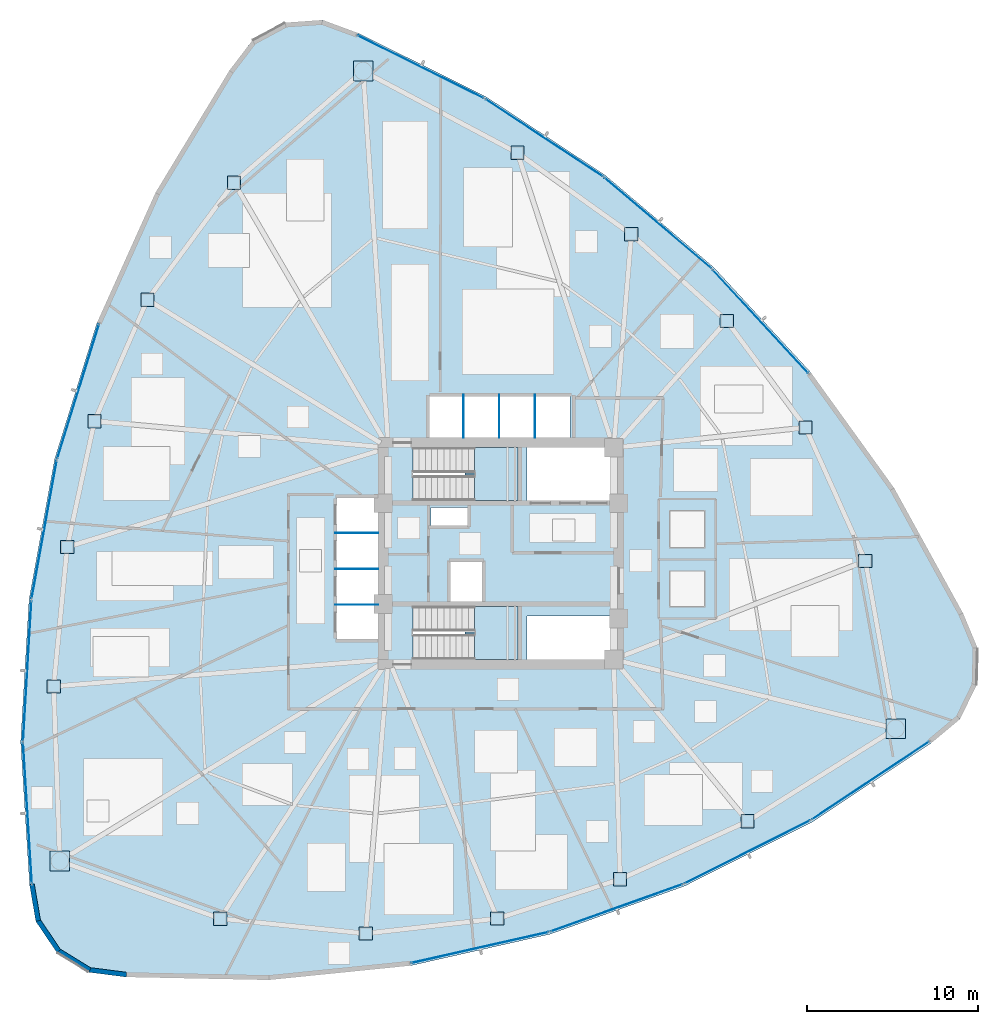
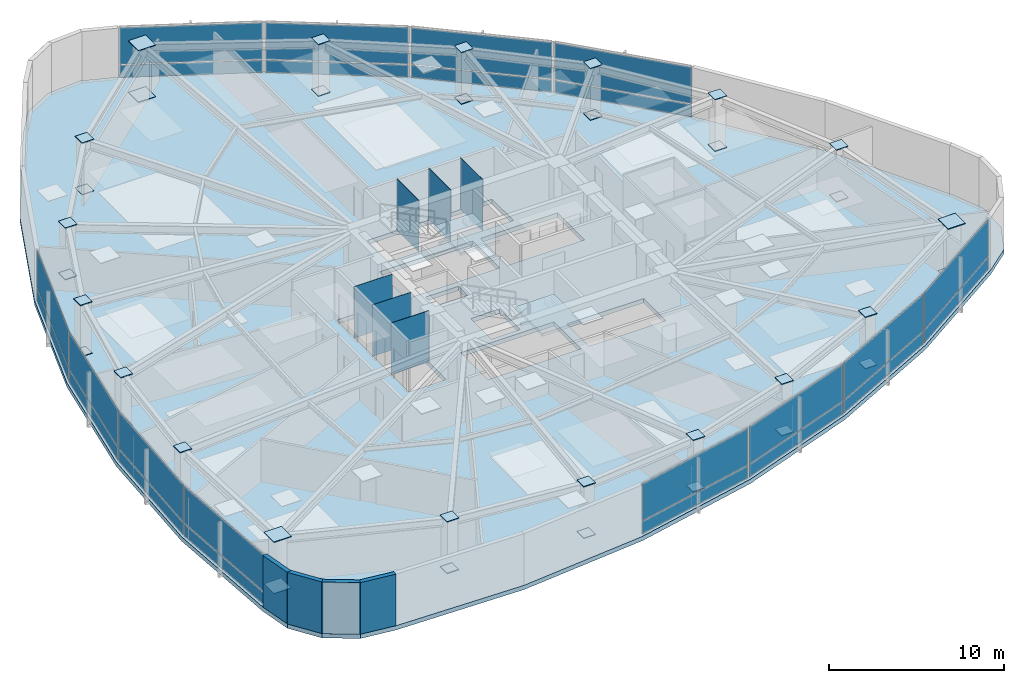
# One storey, part 10 of 17: 66 plates, 4 walls, 3 slabs, 14 elements without a shape of their own.
"""IFC4 building model written with IfcOpenShell, lengths in metres."""

from ifc_helpers import new_model, si_unit, direction, frame, frame_2d, origin, origin_2d, place, context, subcontext, project, spatial, polyline, rectangle, outline, extrude, source, transform, mapped, material, layer, layer_set, type_object, type_shapes, element, aggregate, save


model = new_model("IFC4")

# Units and contexts
model_context = context("Model", 3, precision=1e-05, world=origin(), true_north=direction((0.0, 1.0)))
body_context = subcontext(model_context, "Body", "Model", "MODEL_VIEW")
ifc_project = project(units=[si_unit("LENGTHUNIT", "METRE"), si_unit("AREAUNIT", "SQUARE_METRE"), si_unit("VOLUMEUNIT", "CUBIC_METRE"), si_unit("PLANEANGLEUNIT", "RADIAN"), si_unit("MASSUNIT", "GRAM", prefix="KILO")], contexts=[model_context])

# Site, building, storey
site_placement = place(None, origin())
site = spatial("IfcSite", under=ifc_project, at=site_placement, CompositionType="ELEMENT")
building_placement = place(site_placement, origin())
building = spatial("IfcBuilding", under=site, at=building_placement, Name="Tavelor Broadcast Tower", CompositionType="ELEMENT")
storey_placement = place(building_placement, frame((0.0, 0.0, 93.89990234375)))
storey = spatial("IfcBuildingStorey", under=building, at=storey_placement, Name="L22", CompositionType="ELEMENT", Elevation=93.89990234375)

# Stair, slab
ifc_material_1 = material(Name="Concrete C40/50", Category="concrete")
stair_type = type_object("IfcStairType", Name="Reinforced Concrete Protected Dogleg Stair 1450 mm", PredefinedType="HALF_TURN_STAIR", material=ifc_material_1)
stair_1_placement = place(storey_placement, origin())
stair_1 = element("IfcStair", 1, at=stair_1_placement, inside=storey, type_object=stair_type, Name="L22 Protected Core Exit Stair ST1", PredefinedType="HALF_TURN_STAIR")
ifc_layer_1 = layer(ifc_material_1, 0.199951171875)
ifc_layer_set_1 = layer_set([ifc_layer_1], Name="Concrete C40/50")
slab_type_1 = type_object("IfcSlabType", Name="Reinforced Concrete Stair Half-Landing Slab 200 mm", PredefinedType="LANDING", material=ifc_layer_set_1)
slab_1_placement = place(storey_placement, frame((0.0, 0.0, 1.75)))
slab_1 = element("IfcSlab", 2, at=slab_1_placement, type_object=slab_type_1, Name="ST1 landing 1", PredefinedType="LANDING", context=body_context, shape_type="SweptSolid", body=[
    extrude(outline(polyline([(48.445068359375, 49.590087890625), (48.445068359375, 48.094970703125), (51.0048828125, 48.094970703125), (51.0048828125, 51.205078125), (48.445068359375, 51.205078125), (48.445068359375, 49.7099609375), (47.905029296875, 49.7099609375), (47.905029296875, 49.590087890625), (48.445068359375, 49.590087890625)])), origin(), (0.0, 0.0, 1.0), 0.2001953125),
])
aggregate(stair_1, [slab_1])

stair_2_placement = place(storey_placement, origin())
stair_2 = element("IfcStair", 3, at=stair_2_placement, inside=storey, type_object=stair_type, Name="L22 Protected Core Exit Stair ST2", PredefinedType="HALF_TURN_STAIR")
slab_2_placement = place(storey_placement, frame((0.0, 0.0, 1.75)))
slab_2 = element("IfcSlab", 4, at=slab_2_placement, type_object=slab_type_1, Name="ST2 landing 1", PredefinedType="LANDING", context=body_context, shape_type="SweptSolid", body=[
    extrude(outline(polyline([(48.445068359375, 40.2900390625), (48.445068359375, 38.794921875), (51.0048828125, 38.794921875), (51.0048828125, 41.905029296875), (48.445068359375, 41.905029296875), (48.445068359375, 40.409912109375), (47.905029296875, 40.409912109375), (47.905029296875, 40.2900390625), (48.445068359375, 40.2900390625)])), origin(), (0.0, 0.0, 1.0), 0.2001953125),
])
aggregate(stair_2, [slab_2])

# Slab
ifc_layer_2 = layer(ifc_material_1, 0.300048828125)
ifc_layer_set_2 = layer_set([ifc_layer_2], Name="Concrete C40/50")
slab_type_2 = type_object("IfcSlabType", Name="Tower Composite Floor Slab 300 mm", PredefinedType="FLOOR", material=ifc_layer_set_2)
slab_3_placement = place(storey_placement, frame((0.0, 0.0, -0.2998046875)))
element("IfcSlab", 5, at=slab_3_placement, inside=storey, type_object=slab_type_2, Name="L22 Structural Floor Slab", PredefinedType="FLOOR", context=body_context, shape_type="SweptSolid", body=[
    extrude(outline(polyline([(41.61865234375, 75.4931640625), (39.556884765625, 76.253662109375), (37.364990234375, 76.098388671875), (35.43115234375, 75.05517578125), (34.09814453125, 73.308349609375), (29.768310546875, 66.152099609375), (26.336181640625, 58.52490234375), (23.8525390625, 50.5380859375), (22.353515625, 42.309814453125), (21.861083984375, 33.960205078125), (22.3828125, 25.612548828125), (22.7548828125, 23.447021484375), (23.9853515625, 21.626220703125), (25.85595703125, 20.47314453125), (28.035400390625, 20.192138671875), (36.3974609375, 20.0205078125), (44.718994140625, 20.86181640625), (52.87744140625, 22.7041015625), (60.753173828125, 25.520263671875), (68.230224609375, 29.2685546875), (75.198486328125, 33.894287109375), (76.887939453125, 35.29931640625), (77.849609375, 37.275146484375), (77.912841796875, 39.4716796875), (77.066650390625, 41.499755859375), (73.0341796875, 48.827392578125), (68.144775390625, 55.61328125), (62.469970703125, 61.757568359375), (56.093505859375, 67.170166015625), (49.108642578125, 71.771240234375), (41.61865234375, 75.4931640625)]), holes=[polyline([(56.60009765625, 38.800048828125), (51.52001953125, 38.800048828125), (51.52001953125, 41.35009765625), (56.60009765625, 41.35009765625), (56.60009765625, 38.800048828125)]), polyline([(50.99609375, 38.803955078125), (44.85400390625, 38.803955078125), (44.85400390625, 41.89599609375), (50.99609375, 41.89599609375), (50.99609375, 38.803955078125)]), polyline([(47.050048828125, 42.199951171875), (47.050048828125, 44.550048828125), (48.949951171875, 44.550048828125), (48.949951171875, 42.199951171875), (47.050048828125, 42.199951171875)]), polyline([(40.35009765625, 40.0), (40.35009765625, 48.25), (42.800048828125, 48.25), (42.800048828125, 40.0), (40.35009765625, 40.0)]), polyline([(48.050048828125, 46.64990234375), (45.89990234375, 46.64990234375), (45.89990234375, 47.699951171875), (48.050048828125, 47.699951171875), (48.050048828125, 46.64990234375)]), polyline([(50.99609375, 48.10400390625), (44.85400390625, 48.10400390625), (44.85400390625, 51.196044921875), (50.99609375, 51.196044921875), (50.99609375, 48.10400390625)]), polyline([(56.60009765625, 48.10009765625), (51.52001953125, 48.10009765625), (51.52001953125, 51.199951171875), (56.60009765625, 51.199951171875), (56.60009765625, 48.10009765625)]), polyline([(54.050048828125, 51.800048828125), (45.800048828125, 51.800048828125), (45.800048828125, 54.25), (54.050048828125, 54.25), (54.050048828125, 51.800048828125)])]), origin(), (0.0, 0.0, 1.0), 0.2998046875),
])

# Plates
ifc_material_2 = material(Name="Steel S460", Category="steel")
ifc_layer_3 = layer(ifc_material_2, 0.050048828125)
ifc_layer_set_3 = layer_set([ifc_layer_3], Name="Steel S460")
plate_type_1 = type_object("IfcPlateType", Name="Tube Hollow-End Cap Plate KN05 700x700x50", PredefinedType="USERDEFINED", material=ifc_layer_set_3)
shared_shape_1 = source(origin(), body_context, "Body", "SweptSolid", [
    extrude(rectangle(XDim=1.14697265625, YDim=1.14697265625, at=origin_2d()), origin(), (0.0, 0.0, 1.0), 0.054931640625),
])
for number, where, z_axis, x_axis, name in (
    (6, (41.923095703125, 73.266357421875, -0.02734375), (0.0, 0.0, 1.0), (1.0, 0.0, 0.0), "L22 Hollow End Cap Plate KN05 #616"),
    (7, (41.923095703125, 73.266357421875, 3.57275390625), (0.0, 0.0, 1.0), (1.0, 0.0, 0.0), "L22 Hollow End Cap Plate KN05 #617"),
    (8, (24.1591796875, 26.98974609375, -0.02734375), (0.0, 0.0, 1.0), (1.0, 0.0, 0.0), "L22 Hollow End Cap Plate KN05 #628"),
    (9, (24.1591796875, 26.98974609375, 3.57275390625), (0.0, 0.0, 1.0), (1.0, 0.0, 0.0), "L22 Hollow End Cap Plate KN05 #629"),
    (10, (73.117919921875, 34.743896484375, -0.02734375), (0.0, 0.0, 1.0), (1.0, 0.0, 0.0), "L22 Hollow End Cap Plate KN05 #640"),
    (11, (73.117919921875, 34.743896484375, 3.57275390625), (0.0, 0.0, 1.0), (1.0, 0.0, 0.0), "L22 Hollow End Cap Plate KN05 #641"),
):
    element("IfcPlate", number, at=place(storey_placement, frame(where, z_axis=z_axis, x_axis=x_axis)), inside=storey, type_object=plate_type_1, Name=name, ObjectType="CAP PLATE", PredefinedType="USERDEFINED", context=body_context, shape_type="MappedRepresentation", body=[
        mapped(shared_shape_1, transform((0.0, 0.0, 0.0), scale=1.0)),
    ])
shared_shape_2 = source(origin(), body_context, "Body", "SweptSolid", [
    extrude(rectangle(XDim=0.780029296875, YDim=0.780029296875, at=origin_2d()), origin(), (0.0, 0.0, 1.0), 0.054931640625),
])
type_shapes(plate_type_1, [shared_shape_1, shared_shape_2])
for number, where, z_axis, x_axis, name in (
    (12, (34.356201171875, 66.727783203125, -0.02734375), (0.0, 0.0, 1.0), (1.0, 0.0, 0.0), "L22 Hollow End Cap Plate KN05 #618"),
    (13, (34.356201171875, 66.727783203125, 3.57275390625), (0.0, 0.0, 1.0), (1.0, 0.0, 0.0), "L22 Hollow End Cap Plate KN05 #619"),
    (14, (29.292236328125, 59.87158203125, -0.02734375), (0.0, 0.0, 1.0), (1.0, 0.0, 0.0), "L22 Hollow End Cap Plate KN05 #620"),
    (15, (29.292236328125, 59.87158203125, 3.57275390625), (0.0, 0.0, 1.0), (1.0, 0.0, 0.0), "L22 Hollow End Cap Plate KN05 #621"),
    (16, (26.189208984375, 52.75830078125, -0.02734375), (0.0, 0.0, 1.0), (1.0, 0.0, 0.0), "L22 Hollow End Cap Plate KN05 #622"),
    (17, (26.189208984375, 52.75830078125, 3.57275390625), (0.0, 0.0, 1.0), (1.0, 0.0, 0.0), "L22 Hollow End Cap Plate KN05 #623"),
    (18, (24.58984375, 45.380615234375, -0.02734375), (0.0, 0.0, 1.0), (1.0, 0.0, 0.0), "L22 Hollow End Cap Plate KN05 #624"),
    (19, (24.58984375, 45.380615234375, 3.57275390625), (0.0, 0.0, 1.0), (1.0, 0.0, 0.0), "L22 Hollow End Cap Plate KN05 #625"),
    (20, (23.794677734375, 37.21630859375, -0.02734375), (0.0, 0.0, 1.0), (1.0, 0.0, 0.0), "L22 Hollow End Cap Plate KN05 #626"),
    (21, (23.794677734375, 37.21630859375, 3.57275390625), (0.0, 0.0, 1.0), (1.0, 0.0, 0.0), "L22 Hollow End Cap Plate KN05 #627"),
    (22, (33.55078125, 23.615478515625, -0.02734375), (0.0, 0.0, 1.0), (1.0, 0.0, 0.0), "L22 Hollow End Cap Plate KN05 #630"),
    (23, (33.55078125, 23.615478515625, 3.57275390625), (0.0, 0.0, 1.0), (1.0, 0.0, 0.0), "L22 Hollow End Cap Plate KN05 #631"),
    (24, (42.0732421875, 22.740478515625, -0.02734375), (0.0, 0.0, 1.0), (1.0, 0.0, 0.0), "L22 Hollow End Cap Plate KN05 #632"),
    (25, (42.0732421875, 22.740478515625, 3.57275390625), (0.0, 0.0, 1.0), (1.0, 0.0, 0.0), "L22 Hollow End Cap Plate KN05 #633"),
    (26, (49.78662109375, 23.617919921875, -0.02734375), (0.0, 0.0, 1.0), (1.0, 0.0, 0.0), "L22 Hollow End Cap Plate KN05 #634"),
    (27, (49.78662109375, 23.617919921875, 3.57275390625), (0.0, 0.0, 1.0), (1.0, 0.0, 0.0), "L22 Hollow End Cap Plate KN05 #635"),
    (28, (56.975341796875, 25.92138671875, -0.02734375), (0.0, 0.0, 1.0), (1.0, 0.0, 0.0), "L22 Hollow End Cap Plate KN05 #636"),
    (29, (56.975341796875, 25.92138671875, 3.57275390625), (0.0, 0.0, 1.0), (1.0, 0.0, 0.0), "L22 Hollow End Cap Plate KN05 #637"),
    (30, (64.443603515625, 29.31494140625, -0.02734375), (0.0, 0.0, 1.0), (1.0, 0.0, 0.0), "L22 Hollow End Cap Plate KN05 #638"),
    (31, (64.443603515625, 29.31494140625, 3.57275390625), (0.0, 0.0, 1.0), (1.0, 0.0, 0.0), "L22 Hollow End Cap Plate KN05 #639"),
    (32, (71.343994140625, 44.564697265625, -0.02734375), (0.0, 0.0, 1.0), (1.0, 0.0, 0.0), "L22 Hollow End Cap Plate KN05 #642"),
    (33, (71.343994140625, 44.564697265625, 3.57275390625), (0.0, 0.0, 1.0), (1.0, 0.0, 0.0), "L22 Hollow End Cap Plate KN05 #643"),
    (34, (67.8408203125, 52.382568359375, -0.02734375), (0.0, 0.0, 1.0), (1.0, 0.0, 0.0), "L22 Hollow End Cap Plate KN05 #644"),
    (35, (67.8408203125, 52.382568359375, 3.57275390625), (0.0, 0.0, 1.0), (1.0, 0.0, 0.0), "L22 Hollow End Cap Plate KN05 #645"),
    (36, (63.22412109375, 58.623779296875, -0.02734375), (0.0, 0.0, 1.0), (1.0, 0.0, 0.0), "L22 Hollow End Cap Plate KN05 #646"),
    (37, (63.22412109375, 58.623779296875, 3.57275390625), (0.0, 0.0, 1.0), (1.0, 0.0, 0.0), "L22 Hollow End Cap Plate KN05 #647"),
    (38, (57.634765625, 63.69775390625, -0.02734375), (0.0, 0.0, 1.0), (1.0, 0.0, 0.0), "L22 Hollow End Cap Plate KN05 #648"),
    (39, (57.634765625, 63.69775390625, 3.57275390625), (0.0, 0.0, 1.0), (1.0, 0.0, 0.0), "L22 Hollow End Cap Plate KN05 #649"),
    (40, (50.9619140625, 68.468505859375, -0.02734375), (0.0, 0.0, 1.0), (1.0, 0.0, 0.0), "L22 Hollow End Cap Plate KN05 #650"),
    (41, (50.9619140625, 68.468505859375, 3.57275390625), (0.0, 0.0, 1.0), (1.0, 0.0, 0.0), "L22 Hollow End Cap Plate KN05 #651"),
):
    element("IfcPlate", number, at=place(storey_placement, frame(where, z_axis=z_axis, x_axis=x_axis)), inside=storey, type_object=plate_type_1, Name=name, ObjectType="CAP PLATE", PredefinedType="USERDEFINED", context=body_context, shape_type="MappedRepresentation", body=[
        mapped(shared_shape_2, transform((0.0, 0.0, 0.0), scale=1.0)),
    ])
ifc_material_3 = material(Name="Steel S355", Category="steel")
ifc_layer_4 = layer(ifc_material_3, 0.011962890625)
ifc_layer_set_4 = layer_set([ifc_layer_4], Name="Steel S355")
plate_type_2 = type_object("IfcPlateType", Name="Hoistway Steel Separator Screen 12 mm", PredefinedType="SHEET", material=ifc_layer_set_4)
shared_shape_3 = source(origin(), body_context, "Body", "SweptSolid", [
    extrude(rectangle(XDim=2.52001953125, YDim=0.02001953125, at=origin_2d()), origin(), (0.0, 0.0, 1.0), 3.60009765625),
])
for number, where, z_axis, x_axis, name in (
    (42, (41.56005859375, 42.0, 0.0), (0.0, 0.0, 1.0), (1.0, 0.0, 0.0), "L22 Low-Rise Hoistway Separator Screen 1"),
    (43, (41.56005859375, 44.10009765625, 0.0), (0.0, 0.0, 1.0), (1.0, 0.0, 0.0), "L22 Low-Rise Hoistway Separator Screen 2"),
    (44, (41.56005859375, 46.199951171875, 0.0), (0.0, 0.0, 1.0), (1.0, 0.0, 0.0), "L22 Low-Rise Hoistway Separator Screen 3"),
):
    element("IfcPlate", number, at=place(storey_placement, frame(where, z_axis=z_axis, x_axis=x_axis)), inside=storey, type_object=plate_type_2, Name=name, PredefinedType="SHEET", context=body_context, shape_type="MappedRepresentation", body=[
        mapped(shared_shape_3, transform((0.0, 0.0, 0.0), scale=1.0)),
    ])
shared_shape_4 = source(origin(), body_context, "Body", "SweptSolid", [
    extrude(rectangle(XDim=0.02001953125, YDim=2.52001953125, at=origin_2d()), origin(), (0.0, 0.0, 1.0), 3.60009765625),
])
type_shapes(plate_type_2, [shared_shape_3, shared_shape_4])
for number, where, z_axis, x_axis, name in (
    (45, (47.800048828125, 53.0400390625, 0.0), (0.0, 0.0, 1.0), (1.0, 0.0, 0.0), "L22 High-Rise Hoistway Separator Screen 1"),
    (46, (49.89990234375, 53.0400390625, 0.0), (0.0, 0.0, 1.0), (1.0, 0.0, 0.0), "L22 High-Rise Hoistway Separator Screen 2"),
    (47, (52.0, 53.0400390625, 0.0), (0.0, 0.0, 1.0), (1.0, 0.0, 0.0), "L22 High-Rise Hoistway Separator Screen 3"),
):
    element("IfcPlate", number, at=place(storey_placement, frame(where, z_axis=z_axis, x_axis=x_axis)), inside=storey, type_object=plate_type_2, Name=name, PredefinedType="SHEET", context=body_context, shape_type="MappedRepresentation", body=[
        mapped(shared_shape_4, transform((0.0, 0.0, 0.0), scale=1.0)),
    ])

# Curtain wall, plate
ifc_material_4 = material(Name="Architectural Anodized Aluminium", Category="aluminium")
ifc_layer_5 = layer(ifc_material_4, 0.179931640625)
ifc_layer_set_5 = layer_set([ifc_layer_5], Name="Architectural Anodized Aluminium")
curtain_wall_type = type_object("IfcCurtainWallType", Name="Tower Low-Zone Unitised Curtain Wall CW02", PredefinedType="NOTDEFINED", material=ifc_layer_set_5)
curtain_wall_1_placement = place(storey_placement, origin())
curtain_wall_1 = element("IfcCurtainWall", 48, at=curtain_wall_1_placement, inside=storey, type_object=curtain_wall_type, Name="L22 Curtain Wall CW02 Run 217", PredefinedType="NOTDEFINED")
ifc_material_5 = material(Name="Acoustic Double Glazing 28 mm", Category="glass")
ifc_layer_6 = layer(ifc_material_5, 0.028076171875)
ifc_layer_set_6 = layer_set([ifc_layer_6], Name="Acoustic Double Glazing 28 mm")
plate_type_3 = type_object("IfcPlateType", Name="CW02 Insulated Vision Glazing Panel 28 mm", PredefinedType="CURTAIN_PANEL", material=ifc_layer_set_6)
shared_shape_5 = source(origin(), body_context, "Body", "SweptSolid", [
    extrude(rectangle(XDim=8.201904296875, YDim=0.028076171875, at=origin_2d()), origin(), (0.0, 0.0, 1.0), 0.8525390625),
])
plate_1_placement = place(storey_placement, frame((25.230224609375, 54.4970703125, 0.065185546875), z_axis=(0.0, 0.0, 1.0), x_axis=(-0.296953717628, -0.954891873244, 0.0)))
plate_1 = element("IfcPlate", 49, at=plate_1_placement, type_object=plate_type_3, Name="CW02 panel 1.1", PredefinedType="CURTAIN_PANEL", context=body_context, shape_type="MappedRepresentation", body=[
    mapped(shared_shape_5, transform((0.0, 0.0, 0.0), scale=1.0)),
])

curtain_wall_2_placement = place(storey_placement, origin())
curtain_wall_2 = element("IfcCurtainWall", 50, at=curtain_wall_2_placement, inside=storey, type_object=curtain_wall_type, Name="L22 Curtain Wall CW02 Run 221", PredefinedType="NOTDEFINED")
plate_2_placement = place(storey_placement, frame((48.760009765625, 21.91796875, 0.065185546875), z_axis=(0.0, 0.0, 1.0), x_axis=(0.97543775782, 0.220275238324, 0.0)))
plate_2 = element("IfcPlate", 51, at=plate_2_placement, type_object=plate_type_3, Name="CW02 panel 1.1", PredefinedType="CURTAIN_PANEL", context=body_context, shape_type="MappedRepresentation", body=[
    mapped(shared_shape_5, transform((0.0, 0.0, 0.0), scale=1.0)),
])

curtain_wall_3_placement = place(storey_placement, origin())
curtain_wall_3 = element("IfcCurtainWall", 52, at=curtain_wall_3_placement, inside=storey, type_object=curtain_wall_type, Name="L22 Curtain Wall CW02 Run 225", PredefinedType="NOTDEFINED")
plate_3_placement = place(storey_placement, frame((65.209716796875, 58.5849609375, 0.065185546875), z_axis=(0.0, 0.0, 1.0), x_axis=(-0.678488942006, 0.734610614935, 0.0)))
plate_3 = element("IfcPlate", 53, at=plate_3_placement, type_object=plate_type_3, Name="CW02 panel 1.1", PredefinedType="CURTAIN_PANEL", context=body_context, shape_type="MappedRepresentation", body=[
    mapped(shared_shape_5, transform((0.0, 0.0, 0.0), scale=1.0)),
])

# Plate
shared_shape_6 = source(origin(), body_context, "Body", "SweptSolid", [
    extrude(rectangle(XDim=8.201904296875, YDim=0.028076171875, at=origin_2d()), origin(), (0.0, 0.0, 1.0), 2.552490234375),
])
plate_4_placement = place(storey_placement, frame((25.230224609375, 54.4970703125, 0.982421875), z_axis=(0.0, 0.0, 1.0), x_axis=(-0.296953717628, -0.954891873244, 0.0)))
plate_4 = element("IfcPlate", 54, at=plate_4_placement, type_object=plate_type_3, Name="CW02 panel 1.2", PredefinedType="CURTAIN_PANEL", context=body_context, shape_type="MappedRepresentation", body=[
    mapped(shared_shape_6, transform((0.0, 0.0, 0.0), scale=1.0)),
])

aggregate(curtain_wall_1, [plate_1, plate_4])

plate_5_placement = place(storey_placement, frame((48.760009765625, 21.91796875, 0.982421875), z_axis=(0.0, 0.0, 1.0), x_axis=(0.97543775782, 0.220275238324, 0.0)))
plate_5 = element("IfcPlate", 55, at=plate_5_placement, type_object=plate_type_3, Name="CW02 panel 1.2", PredefinedType="CURTAIN_PANEL", context=body_context, shape_type="MappedRepresentation", body=[
    mapped(shared_shape_6, transform((0.0, 0.0, 0.0), scale=1.0)),
])

aggregate(curtain_wall_2, [plate_2, plate_5])

plate_6_placement = place(storey_placement, frame((65.209716796875, 58.5849609375, 0.982421875), z_axis=(0.0, 0.0, 1.0), x_axis=(-0.678488942006, 0.734610614935, 0.0)))
plate_6 = element("IfcPlate", 56, at=plate_6_placement, type_object=plate_type_3, Name="CW02 panel 1.2", PredefinedType="CURTAIN_PANEL", context=body_context, shape_type="MappedRepresentation", body=[
    mapped(shared_shape_6, transform((0.0, 0.0, 0.0), scale=1.0)),
])

aggregate(curtain_wall_3, [plate_3, plate_6])

# Curtain wall, plate
curtain_wall_4_placement = place(storey_placement, origin())
curtain_wall_4 = element("IfcCurtainWall", 57, at=curtain_wall_4_placement, inside=storey, type_object=curtain_wall_type, Name="L22 Curtain Wall CW02 Run 218", PredefinedType="NOTDEFINED")
shared_shape_7 = source(origin(), body_context, "Body", "SweptSolid", [
    extrude(rectangle(XDim=8.18701171875, YDim=0.028076171875, at=origin_2d()), origin(), (0.0, 0.0, 1.0), 0.8525390625),
])
plate_7_placement = place(storey_placement, frame((23.24072265625, 46.39892578125, 0.065185546875), z_axis=(0.0, 0.0, 1.0), x_axis=(-0.179235649976, -0.983806170837, 0.0)))
plate_7 = element("IfcPlate", 58, at=plate_7_placement, type_object=plate_type_3, Name="CW02 panel 1.1", PredefinedType="CURTAIN_PANEL", context=body_context, shape_type="MappedRepresentation", body=[
    mapped(shared_shape_7, transform((0.0, 0.0, 0.0), scale=1.0)),
])

curtain_wall_5_placement = place(storey_placement, origin())
curtain_wall_5 = element("IfcCurtainWall", 59, at=curtain_wall_5_placement, inside=storey, type_object=curtain_wall_type, Name="L22 Curtain Wall CW02 Run 219", PredefinedType="NOTDEFINED")
plate_8_placement = place(storey_placement, frame((22.2470703125, 38.126708984375, 0.065185546875), z_axis=(0.0, 0.0, 1.0), x_axis=(-0.05886721585, -0.998265821762, 0.0)))
plate_8 = element("IfcPlate", 60, at=plate_8_placement, type_object=plate_type_3, Name="CW02 panel 1.1", PredefinedType="CURTAIN_PANEL", context=body_context, shape_type="MappedRepresentation", body=[
    mapped(shared_shape_7, transform((0.0, 0.0, 0.0), scale=1.0)),
])

curtain_wall_6_placement = place(storey_placement, origin())
curtain_wall_6 = element("IfcCurtainWall", 61, at=curtain_wall_6_placement, inside=storey, type_object=curtain_wall_type, Name="L22 Curtain Wall CW02 Run 222", PredefinedType="NOTDEFINED")
plate_9_placement = place(storey_placement, frame((56.768310546875, 24.243896484375, 0.065185546875), z_axis=(0.0, 0.0, 1.0), x_axis=(0.941613446539, 0.336695882508, 0.0)))
plate_9 = element("IfcPlate", 62, at=plate_9_placement, type_object=plate_type_3, Name="CW02 panel 1.1", PredefinedType="CURTAIN_PANEL", context=body_context, shape_type="MappedRepresentation", body=[
    mapped(shared_shape_7, transform((0.0, 0.0, 0.0), scale=1.0)),
])

curtain_wall_7_placement = place(storey_placement, origin())
curtain_wall_7 = element("IfcCurtainWall", 63, at=curtain_wall_7_placement, inside=storey, type_object=curtain_wall_type, Name="L22 Curtain Wall CW02 Run 226", PredefinedType="NOTDEFINED")
plate_10_placement = place(storey_placement, frame((59.191162109375, 64.357177734375, 0.065185546875), z_axis=(0.0, 0.0, 1.0), x_axis=(-0.762388873925, 0.647119158204, 0.0)))
plate_10 = element("IfcPlate", 64, at=plate_10_placement, type_object=plate_type_3, Name="CW02 panel 1.1", PredefinedType="CURTAIN_PANEL", context=body_context, shape_type="MappedRepresentation", body=[
    mapped(shared_shape_7, transform((0.0, 0.0, 0.0), scale=1.0)),
])

curtain_wall_8_placement = place(storey_placement, origin())
curtain_wall_8 = element("IfcCurtainWall", 65, at=curtain_wall_8_placement, inside=storey, type_object=curtain_wall_type, Name="L22 Curtain Wall CW02 Run 227", PredefinedType="NOTDEFINED")
plate_11_placement = place(storey_placement, frame((52.524169921875, 69.353759765625, 0.065185546875), z_axis=(0.0, 0.0, 1.0), x_axis=(-0.835091650782, 0.550110838645, 0.0)))
plate_11 = element("IfcPlate", 66, at=plate_11_placement, type_object=plate_type_3, Name="CW02 panel 1.1", PredefinedType="CURTAIN_PANEL", context=body_context, shape_type="MappedRepresentation", body=[
    mapped(shared_shape_7, transform((0.0, 0.0, 0.0), scale=1.0)),
])

# Plate
shared_shape_8 = source(origin(), body_context, "Body", "SweptSolid", [
    extrude(rectangle(XDim=8.18701171875, YDim=0.028076171875, at=origin_2d()), origin(), (0.0, 0.0, 1.0), 2.552490234375),
])
plate_12_placement = place(storey_placement, frame((23.24072265625, 46.39892578125, 0.982421875), z_axis=(0.0, 0.0, 1.0), x_axis=(-0.179235649976, -0.983806170837, 0.0)))
plate_12 = element("IfcPlate", 67, at=plate_12_placement, type_object=plate_type_3, Name="CW02 panel 1.2", PredefinedType="CURTAIN_PANEL", context=body_context, shape_type="MappedRepresentation", body=[
    mapped(shared_shape_8, transform((0.0, 0.0, 0.0), scale=1.0)),
])

aggregate(curtain_wall_4, [plate_7, plate_12])

plate_13_placement = place(storey_placement, frame((22.2470703125, 38.126708984375, 0.982421875), z_axis=(0.0, 0.0, 1.0), x_axis=(-0.05886721585, -0.998265821762, 0.0)))
plate_13 = element("IfcPlate", 68, at=plate_13_placement, type_object=plate_type_3, Name="CW02 panel 1.2", PredefinedType="CURTAIN_PANEL", context=body_context, shape_type="MappedRepresentation", body=[
    mapped(shared_shape_8, transform((0.0, 0.0, 0.0), scale=1.0)),
])

aggregate(curtain_wall_5, [plate_8, plate_13])

plate_14_placement = place(storey_placement, frame((56.768310546875, 24.243896484375, 0.982421875), z_axis=(0.0, 0.0, 1.0), x_axis=(0.941613446539, 0.336695882508, 0.0)))
plate_14 = element("IfcPlate", 69, at=plate_14_placement, type_object=plate_type_3, Name="CW02 panel 1.2", PredefinedType="CURTAIN_PANEL", context=body_context, shape_type="MappedRepresentation", body=[
    mapped(shared_shape_8, transform((0.0, 0.0, 0.0), scale=1.0)),
])

aggregate(curtain_wall_6, [plate_9, plate_14])

plate_15_placement = place(storey_placement, frame((59.191162109375, 64.357177734375, 0.982421875), z_axis=(0.0, 0.0, 1.0), x_axis=(-0.762388873925, 0.647119158204, 0.0)))
plate_15 = element("IfcPlate", 70, at=plate_15_placement, type_object=plate_type_3, Name="CW02 panel 1.2", PredefinedType="CURTAIN_PANEL", context=body_context, shape_type="MappedRepresentation", body=[
    mapped(shared_shape_8, transform((0.0, 0.0, 0.0), scale=1.0)),
])

aggregate(curtain_wall_7, [plate_10, plate_15])

plate_16_placement = place(storey_placement, frame((52.524169921875, 69.353759765625, 0.982421875), z_axis=(0.0, 0.0, 1.0), x_axis=(-0.835091650782, 0.550110838645, 0.0)))
plate_16 = element("IfcPlate", 71, at=plate_16_placement, type_object=plate_type_3, Name="CW02 panel 1.2", PredefinedType="CURTAIN_PANEL", context=body_context, shape_type="MappedRepresentation", body=[
    mapped(shared_shape_8, transform((0.0, 0.0, 0.0), scale=1.0)),
])

aggregate(curtain_wall_8, [plate_11, plate_16])

# Curtain wall, plate
curtain_wall_9_placement = place(storey_placement, origin())
curtain_wall_9 = element("IfcCurtainWall", 72, at=curtain_wall_9_placement, inside=storey, type_object=curtain_wall_type, Name="L22 Curtain Wall CW02 Run 220", PredefinedType="NOTDEFINED")
shared_shape_9 = source(origin(), body_context, "Body", "SweptSolid", [
    extrude(rectangle(XDim=8.202880859375, YDim=0.028076171875, at=origin_2d()), origin(), (0.0, 0.0, 1.0), 0.8525390625),
])
plate_17_placement = place(storey_placement, frame((22.26220703125, 29.787109375, 0.065185546875), z_axis=(0.0, 0.0, 1.0), x_axis=(0.062391734427, -0.998051737875, 0.0)))
plate_17 = element("IfcPlate", 73, at=plate_17_placement, type_object=plate_type_3, Name="CW02 panel 1.1", PredefinedType="CURTAIN_PANEL", context=body_context, shape_type="MappedRepresentation", body=[
    mapped(shared_shape_9, transform((0.0, 0.0, 0.0), scale=1.0)),
])

curtain_wall_10_placement = place(storey_placement, origin())
curtain_wall_10 = element("IfcCurtainWall", 74, at=curtain_wall_10_placement, inside=storey, type_object=curtain_wall_type, Name="L22 Curtain Wall CW02 Run 224", PredefinedType="NOTDEFINED")
plate_18_placement = place(storey_placement, frame((71.6435546875, 31.702392578125, 0.065185546875), z_axis=(0.0, 0.0, 1.0), x_axis=(0.833141656862, 0.553059652841, 0.0)))
plate_18 = element("IfcPlate", 75, at=plate_18_placement, type_object=plate_type_3, Name="CW02 panel 1.1", PredefinedType="CURTAIN_PANEL", context=body_context, shape_type="MappedRepresentation", body=[
    mapped(shared_shape_9, transform((0.0, 0.0, 0.0), scale=1.0)),
])

curtain_wall_11_placement = place(storey_placement, origin())
curtain_wall_11 = element("IfcCurtainWall", 76, at=curtain_wall_11_placement, inside=storey, type_object=curtain_wall_type, Name="L22 Curtain Wall CW02 Run 228", PredefinedType="NOTDEFINED")
plate_19_placement = place(storey_placement, frame((45.294189453125, 73.510498046875, 0.065185546875), z_axis=(0.0, 0.0, 1.0), x_axis=(-0.895526138852, 0.445008915229, 0.0)))
plate_19 = element("IfcPlate", 77, at=plate_19_placement, type_object=plate_type_3, Name="CW02 panel 1.1", PredefinedType="CURTAIN_PANEL", context=body_context, shape_type="MappedRepresentation", body=[
    mapped(shared_shape_9, transform((0.0, 0.0, 0.0), scale=1.0)),
])

# Plate
shared_shape_10 = source(origin(), body_context, "Body", "SweptSolid", [
    extrude(rectangle(XDim=8.202880859375, YDim=0.028076171875, at=origin_2d()), origin(), (0.0, 0.0, 1.0), 2.552490234375),
])
plate_20_placement = place(storey_placement, frame((22.26220703125, 29.787109375, 0.982421875), z_axis=(0.0, 0.0, 1.0), x_axis=(0.062391734427, -0.998051737875, 0.0)))
plate_20 = element("IfcPlate", 78, at=plate_20_placement, type_object=plate_type_3, Name="CW02 panel 1.2", PredefinedType="CURTAIN_PANEL", context=body_context, shape_type="MappedRepresentation", body=[
    mapped(shared_shape_10, transform((0.0, 0.0, 0.0), scale=1.0)),
])

aggregate(curtain_wall_9, [plate_17, plate_20])

plate_21_placement = place(storey_placement, frame((71.6435546875, 31.702392578125, 0.982421875), z_axis=(0.0, 0.0, 1.0), x_axis=(0.833141656862, 0.553059652841, 0.0)))
plate_21 = element("IfcPlate", 79, at=plate_21_placement, type_object=plate_type_3, Name="CW02 panel 1.2", PredefinedType="CURTAIN_PANEL", context=body_context, shape_type="MappedRepresentation", body=[
    mapped(shared_shape_10, transform((0.0, 0.0, 0.0), scale=1.0)),
])

aggregate(curtain_wall_10, [plate_18, plate_21])

plate_22_placement = place(storey_placement, frame((45.294189453125, 73.510498046875, 0.982421875), z_axis=(0.0, 0.0, 1.0), x_axis=(-0.895526138852, 0.445008915229, 0.0)))
plate_22 = element("IfcPlate", 80, at=plate_22_placement, type_object=plate_type_3, Name="CW02 panel 1.2", PredefinedType="CURTAIN_PANEL", context=body_context, shape_type="MappedRepresentation", body=[
    mapped(shared_shape_10, transform((0.0, 0.0, 0.0), scale=1.0)),
])

aggregate(curtain_wall_11, [plate_19, plate_22])

# Curtain wall, plates
curtain_wall_12_placement = place(storey_placement, origin())
curtain_wall_12 = element("IfcCurtainWall", 81, at=curtain_wall_12_placement, inside=storey, type_object=curtain_wall_type, Name="L22 Curtain Wall CW02 Run 223", PredefinedType="NOTDEFINED")
shared_shape_11 = source(origin(), body_context, "Body", "SweptSolid", [
    extrude(rectangle(XDim=8.186767578125, YDim=0.028076171875, at=origin_2d()), origin(), (0.0, 0.0, 1.0), 0.8525390625),
])
plate_23_placement = place(storey_placement, frame((64.428955078125, 27.51953125, 0.065185546875), z_axis=(0.0, 0.0, 1.0), x_axis=(0.893952953862, 0.448160815201, 0.0)))
plate_23 = element("IfcPlate", 82, at=plate_23_placement, type_object=plate_type_3, Name="CW02 panel 1.1", PredefinedType="CURTAIN_PANEL", context=body_context, shape_type="MappedRepresentation", body=[
    mapped(shared_shape_11, transform((0.0, 0.0, 0.0), scale=1.0)),
])
shared_shape_12 = source(origin(), body_context, "Body", "SweptSolid", [
    extrude(rectangle(XDim=8.186767578125, YDim=0.028076171875, at=origin_2d()), origin(), (0.0, 0.0, 1.0), 2.552490234375),
])
type_shapes(plate_type_3, [shared_shape_5, shared_shape_6, shared_shape_7, shared_shape_8, shared_shape_9, shared_shape_10, shared_shape_11, shared_shape_12])
plate_24_placement = place(storey_placement, frame((64.428955078125, 27.51953125, 0.982421875), z_axis=(0.0, 0.0, 1.0), x_axis=(0.893952953862, 0.448160815201, 0.0)))
plate_24 = element("IfcPlate", 83, at=plate_24_placement, type_object=plate_type_3, Name="CW02 panel 1.2", PredefinedType="CURTAIN_PANEL", context=body_context, shape_type="MappedRepresentation", body=[
    mapped(shared_shape_12, transform((0.0, 0.0, 0.0), scale=1.0)),
])
aggregate(curtain_wall_12, [plate_23, plate_24])

# Walls
ifc_material_6 = material(Name="Precast Concrete C40/50", Category="concrete")
ifc_layer_7 = layer(ifc_material_6, 0.280029296875)
ifc_layer_set_7 = layer_set([ifc_layer_7], Name="Precast Concrete C40/50")
wall_type = type_object("IfcWallType", Name="Insulated Precast Terracotta Facade Wall 280 mm", PredefinedType="STANDARD", material=ifc_layer_set_7)
wall_1_placement = place(storey_placement, frame((22.521484375, 25.6328125, 0.0), z_axis=(0.0, 0.0, 1.0), x_axis=(0.169321487074, -0.985560872811, 0.0)))
element("IfcWall", 84, at=wall_1_placement, inside=storey, type_object=wall_type, Name="L22 Rounded Corner Structural Cladding Pier 11", PredefinedType="STANDARD", context=body_context, shape_type="SweptSolid", body=[
    extrude(rectangle(XDim=2.1787109375, YDim=0.280029296875, at=frame_2d((1.08935546875, 0.0))), origin(), (0.0, 0.0, 1.0), 3.60009765625),
])
wall_2_placement = place(storey_placement, frame((22.87939453125, 23.5126953125, 0.0), z_axis=(0.0, 0.0, 1.0), x_axis=(0.559966098538, -0.82851552097, 0.0)))
element("IfcWall", 85, at=wall_2_placement, inside=storey, type_object=wall_type, Name="L22 Rounded Corner Structural Cladding Pier 12", PredefinedType="STANDARD", context=body_context, shape_type="SweptSolid", body=[
    extrude(rectangle(XDim=2.167236328125, YDim=0.280029296875, at=frame_2d((1.08349609375, 0.0))), origin(), (0.0, 0.0, 1.0), 3.60009765625),
])
wall_3_placement = place(storey_placement, frame((24.07177734375, 21.7373046875, 0.0), z_axis=(0.0, 0.0, 1.0), x_axis=(0.851298361041, -0.524681904099, 0.0)))
element("IfcWall", 86, at=wall_3_placement, inside=storey, type_object=wall_type, Name="L22 Rounded Corner Structural Cladding Pier 13", PredefinedType="STANDARD", context=body_context, shape_type="SweptSolid", body=[
    extrude(rectangle(XDim=2.1669921875, YDim=0.280029296875, at=frame_2d((1.08349609375, 0.0))), origin(), (0.0, 0.0, 1.0), 3.60009765625),
])
wall_4_placement = place(storey_placement, frame((25.888916015625, 20.610107421875, 0.0), z_axis=(0.0, 0.0, 1.0), x_axis=(0.99178836274, -0.127889966505, 0.0)))
element("IfcWall", 87, at=wall_4_placement, inside=storey, type_object=wall_type, Name="L22 Rounded Corner Structural Cladding Pier 14", PredefinedType="STANDARD", context=body_context, shape_type="SweptSolid", body=[
    extrude(rectangle(XDim=2.189697265625, YDim=0.280029296875, at=frame_2d((1.0947265625, 0.0))), origin(), (0.0, 0.0, 1.0), 3.60009765625),
])

save(model, "model.ifc")
